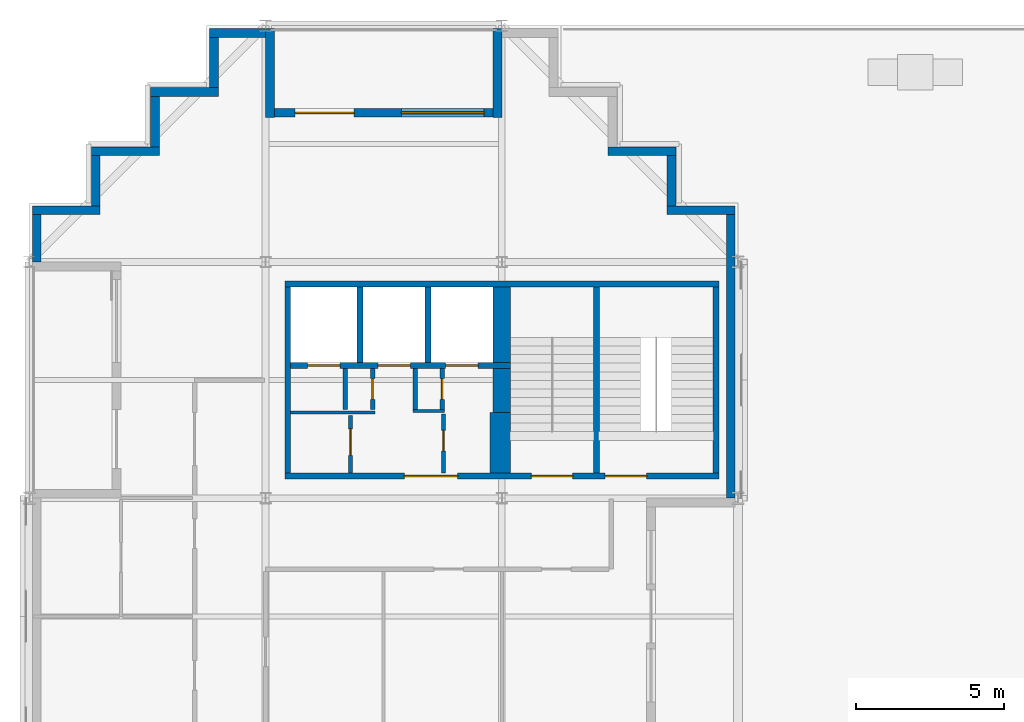
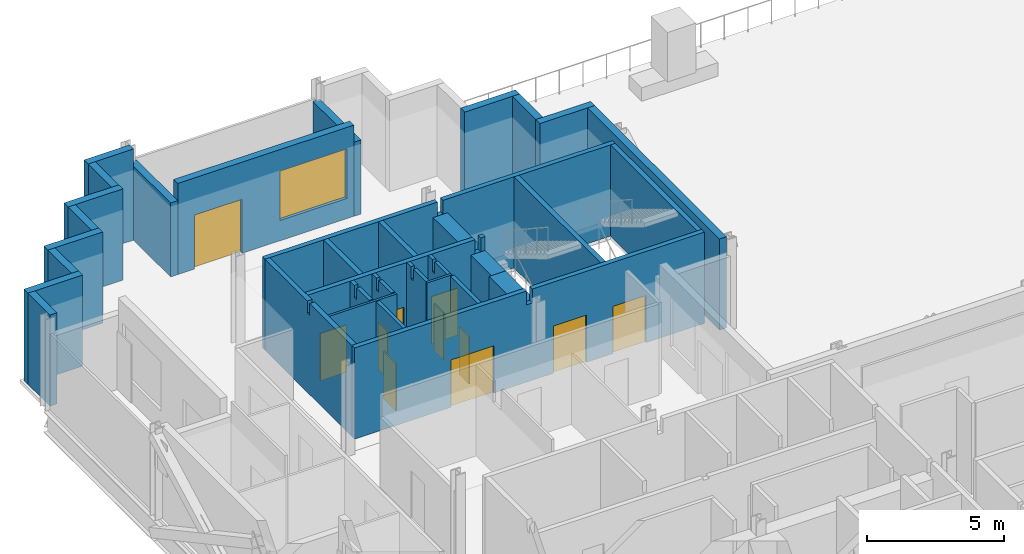
# One storey, part 8 of 12: 34 walls, 11 doors, 1 window, 12 openings.
"""IFC4 building model written with IfcOpenShell, lengths in metres."""

from ifc_helpers import new_model, si_unit, direction, frame, frame_2d, origin, place, context, subcontext, project, spatial, polyline, rectangle, outline, extrude, material, layer, layer_set, type_object, element, fill, save


model = new_model("IFC4")

# Units and contexts
model_context = context("Model", 3, precision=1e-05, world=origin(), true_north=direction((0.0, 1.0)))
body_context = subcontext(model_context, "Body", "Model", "MODEL_VIEW")
ifc_project = project(units=[si_unit("LENGTHUNIT", "METRE"), si_unit("AREAUNIT", "SQUARE_METRE"), si_unit("VOLUMEUNIT", "CUBIC_METRE"), si_unit("PLANEANGLEUNIT", "RADIAN"), si_unit("MASSUNIT", "GRAM", prefix="KILO")], contexts=[model_context])

# Site, building, storey
site_placement = place(None, origin())
site = spatial("IfcSite", under=ifc_project, at=site_placement, CompositionType="ELEMENT")
building_placement = place(site_placement, origin())
building = spatial("IfcBuilding", under=site, at=building_placement, Name="Immortelle Media Tower", CompositionType="ELEMENT")
storey_placement = place(building_placement, frame((0.0, 0.0, 120.0)))
storey = spatial("IfcBuildingStorey", under=building, at=storey_placement, Name="L23", CompositionType="ELEMENT", Elevation=120.0)

# Walls
ifc_material_1 = material(Name="Fire-rated gypsum board", Category="gypsum")
ifc_layer_1 = layer(ifc_material_1, 0.02490234375)
ifc_material_2 = material(Name="Steel ASTM A653 SS Gr 50 stud frame with mineral wool", Category="steel")
ifc_layer_2 = layer(ifc_material_2, 0.050048828125)
ifc_layer_3 = layer(ifc_material_1, 0.02490234375)
ifc_layer_set_1 = layer_set([ifc_layer_1, ifc_layer_2, ifc_layer_3], Name="Steel ASTM A653 SS Gr 50 stud frame with mineral wool")
wall_type_1 = type_object("IfcWallType", Name="Core partition 100", PredefinedType="PARTITIONING", material=ifc_layer_set_1)
wall_1_placement = place(storey_placement, frame((8.85009765625, 34.89990234375, 0.0), z_axis=(0.0, 0.0, 1.0), x_axis=(1.0, 0.0, 0.0)))
element("IfcWall", 1, at=wall_1_placement, inside=storey, type_object=wall_type_1, Name="Core partition NW", PredefinedType="PARTITIONING", context=body_context, shape_type="SweptSolid", body=[
    extrude(rectangle(XDim=2.849853515625, YDim=0.10009765625, at=frame_2d((1.4248046875, 0.0))), origin(), (0.0, 0.0, 1.0), 4.050048828125),
])
wall_2_placement = place(storey_placement, frame((13.0, 34.949951171875, 0.0), z_axis=(0.0, 0.0, 1.0), x_axis=(1.0, 0.0, 0.0)))
element("IfcWall", 2, at=wall_2_placement, inside=storey, type_object=wall_type_1, Name="Core partition NW", PredefinedType="PARTITIONING", context=body_context, shape_type="SweptSolid", body=[
    extrude(rectangle(XDim=1.050048828125, YDim=0.10009765625, at=frame_2d((0.52490234375, 0.0))), origin(), (0.0, 0.0, 1.0), 4.050048828125),
])
ifc_layer_4 = layer(ifc_material_1, 0.02490234375)
ifc_layer_5 = layer(ifc_material_2, 0.10009765625)
ifc_layer_6 = layer(ifc_material_1, 0.02490234375)
ifc_layer_set_2 = layer_set([ifc_layer_4, ifc_layer_5, ifc_layer_6], Name="Steel ASTM A653 SS Gr 50 stud frame with mineral wool")
wall_type_2 = type_object("IfcWallType", Name="Core partition 150", PredefinedType="PARTITIONING", material=ifc_layer_set_2)
wall_3_placement = place(storey_placement, frame((10.699951171875, 35.0, 0.0), z_axis=(0.0, 0.0, 1.0), x_axis=(0.0, 1.0, 0.0)))
element("IfcWall", 3, at=wall_3_placement, inside=storey, type_object=wall_type_2, Name="Core partition NW", PredefinedType="PARTITIONING", context=body_context, shape_type="SweptSolid", body=[
    extrude(outline(polyline([(0.0, 0.0), (1.39990234375, 0.0), (1.39990234375, 4.050048828125), (1.08740234375, 4.050048828125), (1.08642578125, 3.51806640625), (0.91357421875, 3.51806640625), (0.91259765625, 4.050048828125), (0.0, 4.050048828125), (0.0, 0.0)])), frame((0.0, 0.074951171875, 0.0), z_axis=(0.0, -1.0, 0.0), x_axis=(1.0, 0.0, 0.0)), (0.0, 0.0, 1.0), 0.14990234375),
])

# Wall, opening, door
wall_4_placement = place(storey_placement, frame((10.875, 32.85009765625, 0.0), z_axis=(0.0, 0.0, 1.0), x_axis=(0.0, 1.0, 0.0)))
wall_4 = element("IfcWall", 4, at=wall_4_placement, inside=storey, type_object=wall_type_2, Name="Core partition NW", PredefinedType="PARTITIONING", context=body_context, shape_type="SweptSolid", body=[
    extrude(rectangle(XDim=1.949951171875, YDim=0.14990234375, at=frame_2d((0.97509765625, 0.0))), origin(), (0.0, 0.0, 1.0), 4.050048828125),
])
opening_1_placement = place(wall_4_placement, frame((0.60009765625, 0.0, 0.0)))
opening_1 = element("IfcOpeningElement", 5, at=opening_1_placement, cuts=wall_4, Name="Opening C1-K026", PredefinedType="OPENING", context=body_context, shape_type="SweptSolid", body=[
    extrude(rectangle(XDim=0.89990234375, YDim=2.10009765625, at=frame_2d((0.449951171875, 1.050048828125))), frame((0.0, 0.0849609375, 0.0), z_axis=(0.0, -1.0, 0.0), x_axis=(1.0, 0.0, 0.0)), (0.0, 0.0, 1.0), 0.169921875),
])
ifc_material_3 = material(Name="Galvanised steel door leaf and frame ASTM A653", Category="steel")
door_type_1 = type_object("IfcDoorType", Name="Service door 900 x 2100", OperationType="NOTDEFINED", PredefinedType="NOTDEFINED", material=ifc_material_3)
door_1_placement = place(opening_1_placement, origin())
door_1 = element("IfcDoor", 6, at=door_1_placement, inside=storey, type_object=door_type_1, Name="Service C1-K026", OperationType="SINGLE_SWING_LEFT", OverallHeight=2.10009765625, OverallWidth=0.89990234375, PredefinedType="NOTDEFINED", context=body_context, shape_type="SweptSolid", body=[
    extrude(rectangle(XDim=0.89990234375, YDim=2.10009765625, at=frame_2d((0.449951171875, 1.050048828125))), frame((0.0, 0.02490234375, 0.0), z_axis=(0.0, -1.0, 0.0), x_axis=(1.0, 0.0, 0.0)), (0.0, 0.0, 1.0), 0.050048828125),
])
fill(opening_1, door_1)

wall_5_placement = place(storey_placement, frame((11.625, 35.0, 0.0), z_axis=(0.0, 0.0, 1.0), x_axis=(0.0, 1.0, 0.0)))
wall_5 = element("IfcWall", 7, at=wall_5_placement, inside=storey, type_object=wall_type_2, Name="Core partition NW", PredefinedType="PARTITIONING", context=body_context, shape_type="SweptSolid", body=[
    extrude(outline(polyline([(0.0, 0.0), (1.39990234375, 0.0), (1.39990234375, 4.050048828125), (1.08740234375, 4.050048828125), (1.08642578125, 3.51806640625), (0.91357421875, 3.51806640625), (0.91259765625, 4.050048828125), (0.0, 4.050048828125), (0.0, 0.0)])), frame((0.0, 0.074951171875, 0.0), z_axis=(0.0, -1.0, 0.0), x_axis=(1.0, 0.0, 0.0)), (0.0, 0.0, 1.0), 0.14990234375),
])
opening_2_placement = place(wall_5_placement, frame((0.35009765625, 0.0, 0.0)))
opening_2 = element("IfcOpeningElement", 8, at=opening_2_placement, cuts=wall_5, Name="Opening C1-K027", PredefinedType="OPENING", context=body_context, shape_type="SweptSolid", body=[
    extrude(rectangle(XDim=0.699951171875, YDim=2.10009765625, at=frame_2d((0.35009765625, 1.050048828125))), frame((0.0, 0.0849609375, 0.0), z_axis=(0.0, -1.0, 0.0), x_axis=(1.0, 0.0, 0.0)), (0.0, 0.0, 1.0), 0.169921875),
])
door_type_2 = type_object("IfcDoorType", Name="Service door 700 x 2100", OperationType="NOTDEFINED", PredefinedType="NOTDEFINED", material=ifc_material_3)
door_2_placement = place(opening_2_placement, origin())
door_2 = element("IfcDoor", 9, at=door_2_placement, inside=storey, type_object=door_type_2, Name="Service C1-K027", OperationType="SINGLE_SWING_RIGHT", OverallHeight=2.10009765625, OverallWidth=0.699951171875, PredefinedType="NOTDEFINED", context=body_context, shape_type="SweptSolid", body=[
    extrude(rectangle(XDim=0.699951171875, YDim=2.10009765625, at=frame_2d((0.35009765625, 1.050048828125))), frame((0.0, 0.02490234375, 0.0), z_axis=(0.0, -1.0, 0.0), x_axis=(1.0, 0.0, 0.0)), (0.0, 0.0, 1.0), 0.050048828125),
])
fill(opening_2, door_2)

# Wall
wall_6_placement = place(storey_placement, frame((13.074951171875, 35.0, 0.0), z_axis=(0.0, 0.0, 1.0), x_axis=(0.0, 1.0, 0.0)))
element("IfcWall", 10, at=wall_6_placement, inside=storey, type_object=wall_type_2, Name="Core partition NW", PredefinedType="PARTITIONING", context=body_context, shape_type="SweptSolid", body=[
    extrude(outline(polyline([(0.0, 0.0), (1.39990234375, 0.0), (1.39990234375, 4.050048828125), (1.08740234375, 4.050048828125), (1.08642578125, 3.51806640625), (0.91357421875, 3.51806640625), (0.91259765625, 4.050048828125), (0.0, 4.050048828125), (0.0, 0.0)])), frame((0.0, 0.074951171875, 0.0), z_axis=(0.0, -1.0, 0.0), x_axis=(1.0, 0.0, 0.0)), (0.0, 0.0, 1.0), 0.14990234375),
])

# Wall, opening, door
wall_7_placement = place(storey_placement, frame((13.97509765625, 35.0, 0.0), z_axis=(0.0, 0.0, 1.0), x_axis=(0.0, 1.0, 0.0)))
wall_7 = element("IfcWall", 11, at=wall_7_placement, inside=storey, type_object=wall_type_2, Name="Core partition NW", PredefinedType="PARTITIONING", context=body_context, shape_type="SweptSolid", body=[
    extrude(outline(polyline([(0.0, 0.0), (1.39990234375, 0.0), (1.39990234375, 4.050048828125), (1.08740234375, 4.050048828125), (1.08642578125, 3.51806640625), (0.91357421875, 3.51806640625), (0.91259765625, 4.050048828125), (0.0, 4.050048828125), (0.0, 0.0)])), frame((0.0, 0.074951171875, 0.0), z_axis=(0.0, -1.0, 0.0), x_axis=(1.0, 0.0, 0.0)), (0.0, 0.0, 1.0), 0.14990234375),
])
opening_3_placement = place(wall_7_placement, frame((1.050048828125, 0.0, 0.0), z_axis=(0.0, 0.0, 1.0), x_axis=(-1.0, 0.0, 0.0)))
opening_3 = element("IfcOpeningElement", 12, at=opening_3_placement, cuts=wall_7, Name="Opening C1-K030", PredefinedType="OPENING", context=body_context, shape_type="SweptSolid", body=[
    extrude(rectangle(XDim=0.699951171875, YDim=2.10009765625, at=frame_2d((0.35009765625, 1.050048828125))), frame((0.0, 0.0849609375, 0.0), z_axis=(0.0, -1.0, 0.0), x_axis=(1.0, 0.0, 0.0)), (0.0, 0.0, 1.0), 0.169921875),
])
door_3_placement = place(opening_3_placement, origin())
door_3 = element("IfcDoor", 13, at=door_3_placement, inside=storey, type_object=door_type_2, Name="Service C1-K030", OperationType="SINGLE_SWING_RIGHT", OverallHeight=2.10009765625, OverallWidth=0.699951171875, PredefinedType="NOTDEFINED", context=body_context, shape_type="SweptSolid", body=[
    extrude(rectangle(XDim=0.699951171875, YDim=2.10009765625, at=frame_2d((0.35009765625, 1.050048828125))), frame((0.0, 0.02490234375, 0.0), z_axis=(0.0, -1.0, 0.0), x_axis=(1.0, 0.0, 0.0)), (0.0, 0.0, 1.0), 0.050048828125),
])
fill(opening_3, door_3)

wall_8_placement = place(storey_placement, frame((14.02490234375, 32.85009765625, 0.0), z_axis=(0.0, 0.0, 1.0), x_axis=(0.0, 1.0, 0.0)))
wall_8 = element("IfcWall", 14, at=wall_8_placement, inside=storey, type_object=wall_type_2, Name="Core partition NW", PredefinedType="PARTITIONING", context=body_context, shape_type="SweptSolid", body=[
    extrude(rectangle(XDim=2.0, YDim=0.14990234375, at=frame_2d((1.0, 0.0))), origin(), (0.0, 0.0, 1.0), 4.050048828125),
])
opening_4_placement = place(wall_8_placement, frame((1.449951171875, 0.0, 0.0), z_axis=(0.0, 0.0, 1.0), x_axis=(-1.0, 0.0, 0.0)))
opening_4 = element("IfcOpeningElement", 15, at=opening_4_placement, cuts=wall_8, Name="Opening C1-K031", PredefinedType="OPENING", context=body_context, shape_type="SweptSolid", body=[
    extrude(rectangle(XDim=0.699951171875, YDim=2.10009765625, at=frame_2d((0.35009765625, 1.050048828125))), frame((0.0, 0.0849609375, 0.0), z_axis=(0.0, -1.0, 0.0), x_axis=(1.0, 0.0, 0.0)), (0.0, 0.0, 1.0), 0.169921875),
])
door_4_placement = place(opening_4_placement, origin())
door_4 = element("IfcDoor", 16, at=door_4_placement, inside=storey, type_object=door_type_2, Name="Service C1-K031", OperationType="SINGLE_SWING_RIGHT", OverallHeight=2.10009765625, OverallWidth=0.699951171875, PredefinedType="NOTDEFINED", context=body_context, shape_type="SweptSolid", body=[
    extrude(rectangle(XDim=0.699951171875, YDim=2.10009765625, at=frame_2d((0.35009765625, 1.050048828125))), frame((0.0, 0.02490234375, 0.0), z_axis=(0.0, -1.0, 0.0), x_axis=(1.0, 0.0, 0.0)), (0.0, 0.0, 1.0), 0.050048828125),
])
fill(opening_4, door_4)

# Wall
ifc_layer_7 = layer(ifc_material_1, 0.03759765625)
ifc_layer_8 = layer(ifc_material_2, 0.125)
ifc_layer_9 = layer(ifc_material_1, 0.03759765625)
ifc_layer_set_3 = layer_set([ifc_layer_7, ifc_layer_8, ifc_layer_9], Name="Steel ASTM A653 SS Gr 50 stud frame with mineral wool")
wall_type_3 = type_object("IfcWallType", Name="Core shaft wall 200", PredefinedType="PARTITIONING", material=ifc_layer_set_3)
wall_9_placement = place(storey_placement, frame((8.75, 32.85009765625, 0.0), z_axis=(0.0, 0.0, 1.0), x_axis=(0.0, 1.0, 0.0)))
element("IfcWall", 17, at=wall_9_placement, inside=storey, type_object=wall_type_3, Name="Core shaft wall NW", PredefinedType="PARTITIONING", context=body_context, shape_type="SweptSolid", body=[
    extrude(outline(polyline([(0.0, 0.0), (6.2998046875, 0.0), (6.300048828125, 4.050048828125), (3.237548828125, 4.050048828125), (3.236572265625, 3.51806640625), (3.0634765625, 3.51806640625), (3.0625, 4.050048828125), (0.0, 4.050048828125), (0.0, 0.0)])), frame((0.0, 0.10009765625, 0.0), z_axis=(0.0, -1.0, 0.0), x_axis=(1.0, 0.0, 0.0)), (0.0, 0.0, 1.0), 0.199951171875),
])

# Wall, openings, doors
wall_10_placement = place(storey_placement, frame((8.85009765625, 36.5, 0.0), z_axis=(0.0, 0.0, 1.0), x_axis=(1.0, 0.0, 0.0)))
wall_10 = element("IfcWall", 18, at=wall_10_placement, inside=storey, type_object=wall_type_3, Name="Core shaft wall NW", PredefinedType="PARTITIONING", context=body_context, shape_type="SweptSolid", body=[
    extrude(outline(polyline([(0.0, 0.0), (7.449951171875, 0.0), (7.449951171875, 4.050048828125), (7.26953125, 4.050048828125), (7.2685546875, 3.431884765625), (7.031494140625, 3.431884765625), (7.030517578125, 4.050048828125), (0.0, 4.050048828125), (0.0, 0.0)])), frame((0.0, 0.10009765625, 0.0), z_axis=(0.0, -1.0, 0.0), x_axis=(1.0, 0.0, 0.0)), (0.0, 0.0, 1.0), 0.199951171875),
])
opening_5_placement = place(wall_10_placement, frame((0.574951171875, 0.0, 0.0)))
opening_5 = element("IfcOpeningElement", 19, at=opening_5_placement, cuts=wall_10, Name="Opening LD", PredefinedType="OPENING", context=body_context, shape_type="SweptSolid", body=[
    extrude(rectangle(XDim=1.10009765625, YDim=2.10009765625, at=frame_2d((0.550048828125, 1.050048828125))), frame((0.0, 0.10986328125, 0.0), z_axis=(0.0, -1.0, 0.0), x_axis=(1.0, 0.0, 0.0)), (0.0, 0.0, 1.0), 0.219970703125),
])
opening_6_placement = place(wall_10_placement, frame((2.949951171875, 0.0, 0.0)))
opening_6 = element("IfcOpeningElement", 20, at=opening_6_placement, cuts=wall_10, Name="Opening LD", PredefinedType="OPENING", context=body_context, shape_type="SweptSolid", body=[
    extrude(rectangle(XDim=1.10009765625, YDim=2.10009765625, at=frame_2d((0.550048828125, 1.050048828125))), frame((0.0, 0.10986328125, 0.0), z_axis=(0.0, -1.0, 0.0), x_axis=(1.0, 0.0, 0.0)), (0.0, 0.0, 1.0), 0.219970703125),
])
opening_7_placement = place(wall_10_placement, frame((5.25, 0.0, 0.0)))
opening_7 = element("IfcOpeningElement", 21, at=opening_7_placement, cuts=wall_10, Name="Opening LD", PredefinedType="OPENING", context=body_context, shape_type="SweptSolid", body=[
    extrude(rectangle(XDim=1.10009765625, YDim=2.10009765625, at=frame_2d((0.550048828125, 1.050048828125))), frame((0.0, 0.10986328125, 0.0), z_axis=(0.0, -1.0, 0.0), x_axis=(1.0, 0.0, 0.0)), (0.0, 0.0, 1.0), 0.219970703125),
])
ifc_material_4 = material(Name="Stainless steel AISI 304", Category="steel")
door_type_3 = type_object("IfcDoorType", Name="Landing door 1100 x 2100", OperationType="SLIDING_TO_LEFT", PredefinedType="NOTDEFINED", material=ifc_material_4)
door_5_placement = place(opening_5_placement, origin())
door_5 = element("IfcDoor", 22, at=door_5_placement, inside=storey, type_object=door_type_3, Name="Landing door MR1 L23", OperationType="SLIDING_TO_LEFT", OverallHeight=2.10009765625, OverallWidth=1.10009765625, PredefinedType="NOTDEFINED", context=body_context, shape_type="SweptSolid", body=[
    extrude(rectangle(XDim=1.10009765625, YDim=2.10009765625, at=frame_2d((0.550048828125, 1.050048828125))), frame((0.0, 0.02490234375, 0.0), z_axis=(0.0, -1.0, 0.0), x_axis=(1.0, 0.0, 0.0)), (0.0, 0.0, 1.0), 0.050048828125),
])
fill(opening_5, door_5)
door_6_placement = place(opening_6_placement, origin())
door_6 = element("IfcDoor", 23, at=door_6_placement, inside=storey, type_object=door_type_3, Name="Landing door MR2 L23", OperationType="SLIDING_TO_LEFT", OverallHeight=2.10009765625, OverallWidth=1.10009765625, PredefinedType="NOTDEFINED", context=body_context, shape_type="SweptSolid", body=[
    extrude(rectangle(XDim=1.10009765625, YDim=2.10009765625, at=frame_2d((0.550048828125, 1.050048828125))), frame((0.0, 0.02490234375, 0.0), z_axis=(0.0, -1.0, 0.0), x_axis=(1.0, 0.0, 0.0)), (0.0, 0.0, 1.0), 0.050048828125),
])
fill(opening_6, door_6)
door_7_placement = place(opening_7_placement, origin())
door_7 = element("IfcDoor", 24, at=door_7_placement, inside=storey, type_object=door_type_3, Name="Landing door MR3 L23", OperationType="SLIDING_TO_LEFT", OverallHeight=2.10009765625, OverallWidth=1.10009765625, PredefinedType="NOTDEFINED", context=body_context, shape_type="SweptSolid", body=[
    extrude(rectangle(XDim=1.10009765625, YDim=2.10009765625, at=frame_2d((0.550048828125, 1.050048828125))), frame((0.0, 0.02490234375, 0.0), z_axis=(0.0, -1.0, 0.0), x_axis=(1.0, 0.0, 0.0)), (0.0, 0.0, 1.0), 0.050048828125),
])
fill(opening_7, door_7)

# Walls
for number, where, z_axis, x_axis, name in (
    (25, (11.199951171875, 36.60009765625, 0.0), (0.0, 0.0, 1.0), (0.0, 1.0, 0.0), "Core shaft wall NW"),
    (26, (13.5, 36.60009765625, 0.0), (0.0, 0.0, 1.0), (0.0, 1.0, 0.0), "Core shaft wall NW"),
):
    element("IfcWall", number, at=place(storey_placement, frame(where, z_axis=z_axis, x_axis=x_axis)), inside=storey, type_object=wall_type_3, Name=name, PredefinedType="PARTITIONING", context=body_context, shape_type="SweptSolid", body=[
        extrude(rectangle(XDim=2.5498046875, YDim=0.199951171875, at=frame_2d((1.27490234375, 0.0))), origin(), (0.0, 0.0, 1.0), 4.050048828125),
    ])
ifc_material_5 = material(Name="Pale aluminium cladding panel", Category="aluminium")
ifc_layer_10 = layer(ifc_material_5, 0.030029296875)
ifc_layer_11 = layer(ifc_material_2, 0.257568359375)
ifc_material_6 = material(Name="Moisture-resistant gypsum board", Category="gypsum")
ifc_layer_12 = layer(ifc_material_6, 0.012451171875)
ifc_layer_set_4 = layer_set([ifc_layer_10, ifc_layer_11, ifc_layer_12], Name="Steel ASTM A653 SS Gr 50 stud frame with mineral wool")
wall_type_4 = type_object("IfcWallType", Name="Facade wall 300", PredefinedType="SOLIDWALL", material=ifc_layer_set_4)
wall_11_placement = place(storey_placement, frame((23.75, 32.0, 0.0), z_axis=(0.0, 0.0, 1.0), x_axis=(0.0, 1.0, 0.0)))
element("IfcWall", 27, at=wall_11_placement, inside=storey, type_object=wall_type_4, Name="Facade wall L23 E21", PredefinedType="SOLIDWALL", context=body_context, shape_type="SweptSolid", body=[
    extrude(rectangle(XDim=9.60009765625, YDim=0.300048828125, at=frame_2d((4.800048828125, 0.0))), origin(), (0.0, 0.0, 1.0), 4.050048828125),
])
wall_12_placement = place(storey_placement, frame((23.89990234375, 41.75, 0.0), z_axis=(0.0, 0.0, 1.0), x_axis=(-1.0, 0.0, 0.0)))
element("IfcWall", 28, at=wall_12_placement, inside=storey, type_object=wall_type_4, Name="Facade wall L23 N22", PredefinedType="SOLIDWALL", context=body_context, shape_type="SweptSolid", body=[
    extrude(rectangle(XDim=2.2998046875, YDim=0.300048828125, at=frame_2d((1.14990234375, 0.0))), origin(), (0.0, 0.0, 1.0), 4.050048828125),
])
wall_13_placement = place(storey_placement, frame((21.75, 41.89990234375, 0.0), z_axis=(0.0, 0.0, 1.0), x_axis=(0.0, 1.0, 0.0)))
element("IfcWall", 29, at=wall_13_placement, inside=storey, type_object=wall_type_4, Name="Facade wall L23 E23", PredefinedType="SOLIDWALL", context=body_context, shape_type="SweptSolid", body=[
    extrude(rectangle(XDim=1.7001953125, YDim=0.300048828125, at=frame_2d((0.85009765625, 0.0))), origin(), (0.0, 0.0, 1.0), 4.050048828125),
])
wall_14_placement = place(storey_placement, frame((21.89990234375, 43.75, 0.0), z_axis=(0.0, 0.0, 1.0), x_axis=(-1.0, 0.0, 0.0)))
element("IfcWall", 30, at=wall_14_placement, inside=storey, type_object=wall_type_4, Name="Facade wall L23 N24", PredefinedType="SOLIDWALL", context=body_context, shape_type="SweptSolid", body=[
    extrude(rectangle(XDim=2.2998046875, YDim=0.300048828125, at=frame_2d((1.14990234375, 0.0))), origin(), (0.0, 0.0, 1.0), 4.050048828125),
])

# Wall, openings, door, window
wall_15_placement = place(storey_placement, frame((15.699951171875, 45.050048828125, 0.0), z_axis=(0.0, 0.0, 1.0), x_axis=(-1.0, 0.0, 0.0)))
wall_15 = element("IfcWall", 31, at=wall_15_placement, inside=storey, type_object=wall_type_4, Name="Loggia wall L23 N28", PredefinedType="SOLIDWALL", context=body_context, shape_type="SweptSolid", body=[
    extrude(rectangle(XDim=7.39990234375, YDim=0.300048828125, at=frame_2d((3.699951171875, 0.0))), origin(), (0.0, 0.0, 1.0), 4.050048828125),
])
opening_8_placement = place(wall_15_placement, frame((0.300048828125, 0.0, 0.89990234375)))
opening_8 = element("IfcOpeningElement", 32, at=opening_8_placement, cuts=wall_15, Name="Opening W1", PredefinedType="OPENING", context=body_context, shape_type="SweptSolid", body=[
    extrude(rectangle(XDim=2.800048828125, YDim=2.199951171875, at=frame_2d((1.39990234375, 1.10009765625))), frame((0.0, 0.159912109375, 0.0), z_axis=(0.0, -1.0, 0.0), x_axis=(1.0, 0.0, 0.0)), (0.0, 0.0, 1.0), 0.320068359375),
])
opening_9_placement = place(wall_15_placement, frame((4.699951171875, 0.0, 0.0)))
opening_9 = element("IfcOpeningElement", 33, at=opening_9_placement, cuts=wall_15, Name="Opening C1-E006", PredefinedType="OPENING", context=body_context, shape_type="SweptSolid", body=[
    extrude(rectangle(XDim=2.0, YDim=2.39990234375, at=frame_2d((1.0, 1.199951171875))), frame((0.0, 0.159912109375, 0.0), z_axis=(0.0, -1.0, 0.0), x_axis=(1.0, 0.0, 0.0)), (0.0, 0.0, 1.0), 0.320068359375),
])
ifc_material_7 = material(Name="Aluminium frame, glazed leaves", Category="aluminium")
door_type_4 = type_object("IfcDoorType", Name="Loggia door 2000 x 2400", OperationType="DOUBLE_DOOR_SINGLE_SWING", PredefinedType="DOOR", material=ifc_material_7)
door_8_placement = place(opening_9_placement, origin())
door_8 = element("IfcDoor", 34, at=door_8_placement, inside=storey, type_object=door_type_4, Name="Door C1-E006", OperationType="DOUBLE_DOOR_SINGLE_SWING", OverallHeight=2.39990234375, OverallWidth=2.0, PredefinedType="DOOR", context=body_context, shape_type="SweptSolid", body=[
    extrude(rectangle(XDim=2.0, YDim=2.39990234375, at=frame_2d((1.0, 1.199951171875))), frame((0.0, 0.02490234375, 0.0), z_axis=(0.0, -1.0, 0.0), x_axis=(1.0, 0.0, 0.0)), (0.0, 0.0, 1.0), 0.050048828125),
])
fill(opening_9, door_8)
ifc_material_8 = material(Name="Aluminium frame", Category="aluminium")
window_type = type_object("IfcWindowType", Name="Window 2800 x 2200", PartitioningType="SINGLE_PANEL", PredefinedType="WINDOW", material=ifc_material_8)
window_placement = place(opening_8_placement, origin())
window = element("IfcWindow", 35, at=window_placement, inside=storey, type_object=window_type, Name="Window L23 L23-R28-B0", OverallHeight=2.199951171875, OverallWidth=2.800048828125, PartitioningType="SINGLE_PANEL", PredefinedType="WINDOW", context=body_context, shape_type="SweptSolid", body=[
    extrude(rectangle(XDim=2.800048828125, YDim=2.199951171875, at=frame_2d((1.39990234375, 1.10009765625))), frame((0.0, 0.030029296875, 0.0), z_axis=(0.0, -1.0, 0.0), x_axis=(1.0, 0.0, 0.0)), (0.0, 0.0, 1.0), 0.06005859375),
])
fill(opening_8, window)

# Walls
for number, where, z_axis, x_axis, name in (
    (36, (15.85009765625, 47.89990234375, 0.0), (0.0, 0.0, 1.0), (0.0, -1.0, 0.0), "Loggia cheek wall L23 N"),
    (37, (8.14990234375, 47.89990234375, 0.0), (0.0, 0.0, 1.0), (0.0, -1.0, 0.0), "Loggia cheek wall L23 N"),
):
    element("IfcWall", number, at=place(storey_placement, frame(where, z_axis=z_axis, x_axis=x_axis)), inside=storey, type_object=wall_type_4, Name=name, PredefinedType="SOLIDWALL", context=body_context, shape_type="SweptSolid", body=[
        extrude(rectangle(XDim=3.0, YDim=0.300048828125, at=frame_2d((1.5, 0.0))), origin(), (0.0, 0.0, 1.0), 3.287109375),
    ])
wall_16_placement = place(storey_placement, frame((8.0, 47.75, 0.0), z_axis=(0.0, 0.0, 1.0), x_axis=(-1.0, 0.0, 0.0)))
element("IfcWall", 38, at=wall_16_placement, inside=storey, type_object=wall_type_4, Name="Facade wall L23 N28", PredefinedType="SOLIDWALL", context=body_context, shape_type="SweptSolid", body=[
    extrude(rectangle(XDim=1.89990234375, YDim=0.300048828125, at=frame_2d((0.949951171875, 0.0))), origin(), (0.0, 0.0, 1.0), 4.050048828125),
])
wall_17_placement = place(storey_placement, frame((6.25, 47.60009765625, 0.0), z_axis=(0.0, 0.0, 1.0), x_axis=(0.0, -1.0, 0.0)))
element("IfcWall", 39, at=wall_17_placement, inside=storey, type_object=wall_type_4, Name="Facade wall L23 W29", PredefinedType="SOLIDWALL", context=body_context, shape_type="SweptSolid", body=[
    extrude(rectangle(XDim=1.7001953125, YDim=0.300048828125, at=frame_2d((0.85009765625, 0.0))), origin(), (0.0, 0.0, 1.0), 4.050048828125),
])
wall_18_placement = place(storey_placement, frame((6.39990234375, 45.75, 0.0), z_axis=(0.0, 0.0, 1.0), x_axis=(-1.0, 0.0, 0.0)))
element("IfcWall", 40, at=wall_18_placement, inside=storey, type_object=wall_type_4, Name="Facade wall L23 N30", PredefinedType="SOLIDWALL", context=body_context, shape_type="SweptSolid", body=[
    extrude(rectangle(XDim=2.2998046875, YDim=0.300048828125, at=frame_2d((1.14990234375, 0.0))), origin(), (0.0, 0.0, 1.0), 4.050048828125),
])
wall_19_placement = place(storey_placement, frame((4.25, 45.60009765625, 0.0), z_axis=(0.0, 0.0, 1.0), x_axis=(0.0, -1.0, 0.0)))
element("IfcWall", 41, at=wall_19_placement, inside=storey, type_object=wall_type_4, Name="Facade wall L23 W31", PredefinedType="SOLIDWALL", context=body_context, shape_type="SweptSolid", body=[
    extrude(rectangle(XDim=1.7001953125, YDim=0.300048828125, at=frame_2d((0.85009765625, 0.0))), origin(), (0.0, 0.0, 1.0), 4.050048828125),
])
wall_20_placement = place(storey_placement, frame((4.39990234375, 43.75, 0.0), z_axis=(0.0, 0.0, 1.0), x_axis=(-1.0, 0.0, 0.0)))
element("IfcWall", 42, at=wall_20_placement, inside=storey, type_object=wall_type_4, Name="Facade wall L23 N32", PredefinedType="SOLIDWALL", context=body_context, shape_type="SweptSolid", body=[
    extrude(rectangle(XDim=2.2998046875, YDim=0.300048828125, at=frame_2d((1.14990234375, 0.0))), origin(), (0.0, 0.0, 1.0), 4.050048828125),
])
wall_21_placement = place(storey_placement, frame((2.25, 43.60009765625, 0.0), z_axis=(0.0, 0.0, 1.0), x_axis=(0.0, -1.0, 0.0)))
element("IfcWall", 43, at=wall_21_placement, inside=storey, type_object=wall_type_4, Name="Facade wall L23 W33", PredefinedType="SOLIDWALL", context=body_context, shape_type="SweptSolid", body=[
    extrude(rectangle(XDim=1.7001953125, YDim=0.300048828125, at=frame_2d((0.85009765625, 0.0))), origin(), (0.0, 0.0, 1.0), 4.050048828125),
])
wall_22_placement = place(storey_placement, frame((2.39990234375, 41.75, 0.0), z_axis=(0.0, 0.0, 1.0), x_axis=(-1.0, 0.0, 0.0)))
element("IfcWall", 44, at=wall_22_placement, inside=storey, type_object=wall_type_4, Name="Facade wall L23 N34", PredefinedType="SOLIDWALL", context=body_context, shape_type="SweptSolid", body=[
    extrude(rectangle(XDim=2.2998046875, YDim=0.300048828125, at=frame_2d((1.14990234375, 0.0))), origin(), (0.0, 0.0, 1.0), 4.050048828125),
])
wall_23_placement = place(storey_placement, frame((0.25, 41.60009765625, 0.0), z_axis=(0.0, 0.0, 1.0), x_axis=(0.0, -1.0, 0.0)))
element("IfcWall", 45, at=wall_23_placement, inside=storey, type_object=wall_type_4, Name="Facade wall L23 W35", PredefinedType="SOLIDWALL", context=body_context, shape_type="SweptSolid", body=[
    extrude(rectangle(XDim=1.60009765625, YDim=0.300048828125, at=frame_2d((0.800048828125, 0.0))), origin(), (0.0, 0.0, 1.0), 4.050048828125),
])

# Wall, openings, doors
ifc_material_9 = material(Name="Concrete C60", Category="concrete")
ifc_layer_13 = layer(ifc_material_9, 0.199951171875)
ifc_layer_set_5 = layer_set([ifc_layer_13], Name="Concrete C60")
wall_type_5 = type_object("IfcWallType", Name="Stair shaft wall 200", PredefinedType="PARTITIONING", material=ifc_layer_set_5)
wall_24_placement = place(storey_placement, frame((8.64990234375, 32.75, 0.0), z_axis=(0.0, 0.0, 1.0), x_axis=(1.0, 0.0, 0.0)))
wall_24 = element("IfcWall", 46, at=wall_24_placement, inside=storey, type_object=wall_type_5, Name="Stair shaft wall NW", PredefinedType="PARTITIONING", context=body_context, shape_type="SweptSolid", body=[
    extrude(outline(polyline([(0.0, 0.0), (14.7001953125, 0.0), (14.699951171875, 4.050048828125), (7.469482421875, 4.050048828125), (7.468505859375, 3.431884765625), (7.2314453125, 3.431884765625), (7.23046875, 4.050048828125), (0.0, 4.050048828125), (0.0, 0.0)])), frame((0.0, 0.10009765625, 0.0), z_axis=(0.0, -1.0, 0.0), x_axis=(1.0, 0.0, 0.0)), (0.0, 0.0, 1.0), 0.199951171875),
])
opening_10_placement = place(wall_24_placement, frame((4.050048828125, 0.0, 0.0)))
opening_10 = element("IfcOpeningElement", 47, at=opening_10_placement, cuts=wall_24, Name="Opening C1-K029", PredefinedType="OPENING", context=body_context, shape_type="SweptSolid", body=[
    extrude(rectangle(XDim=1.800048828125, YDim=2.10009765625, at=frame_2d((0.89990234375, 1.050048828125))), frame((0.0, 0.10986328125, 0.0), z_axis=(0.0, -1.0, 0.0), x_axis=(1.0, 0.0, 0.0)), (0.0, 0.0, 1.0), 0.219970703125),
])
opening_11_placement = place(wall_24_placement, frame((8.35009765625, 0.0, 0.0)))
opening_11 = element("IfcOpeningElement", 48, at=opening_11_placement, cuts=wall_24, Name="Opening C1-K033", PredefinedType="OPENING", context=body_context, shape_type="SweptSolid", body=[
    extrude(rectangle(XDim=1.39990234375, YDim=2.10009765625, at=frame_2d((0.699951171875, 1.050048828125))), frame((0.0, 0.10986328125, 0.0), z_axis=(0.0, -1.0, 0.0), x_axis=(1.0, 0.0, 0.0)), (0.0, 0.0, 1.0), 0.219970703125),
])
opening_12_placement = place(wall_24_placement, frame((10.85009765625, 0.0, 0.0)))
opening_12 = element("IfcOpeningElement", 49, at=opening_12_placement, cuts=wall_24, Name="Opening C1-K034", PredefinedType="OPENING", context=body_context, shape_type="SweptSolid", body=[
    extrude(rectangle(XDim=1.39990234375, YDim=2.10009765625, at=frame_2d((0.699951171875, 1.050048828125))), frame((0.0, 0.10986328125, 0.0), z_axis=(0.0, -1.0, 0.0), x_axis=(1.0, 0.0, 0.0)), (0.0, 0.0, 1.0), 0.219970703125),
])
door_type_5 = type_object("IfcDoorType", Name="Lift lobby door 1800 x 2100", OperationType="DOUBLE_DOOR_SINGLE_SWING", PredefinedType="NOTDEFINED", material=ifc_material_3)
door_9_placement = place(opening_10_placement, origin())
door_9 = element("IfcDoor", 50, at=door_9_placement, inside=storey, type_object=door_type_5, Name="Lift lobby C1-K029", OperationType="DOUBLE_DOOR_SINGLE_SWING", OverallHeight=2.10009765625, OverallWidth=1.800048828125, PredefinedType="NOTDEFINED", context=body_context, shape_type="SweptSolid", body=[
    extrude(rectangle(XDim=1.800048828125, YDim=2.10009765625, at=frame_2d((0.89990234375, 1.050048828125))), frame((0.0, 0.02490234375, 0.0), z_axis=(0.0, -1.0, 0.0), x_axis=(1.0, 0.0, 0.0)), (0.0, 0.0, 1.0), 0.050048828125),
])
fill(opening_10, door_9)
door_type_6 = type_object("IfcDoorType", Name="Stair door 1400 x 2100", OperationType="DOUBLE_DOOR_SINGLE_SWING", PredefinedType="NOTDEFINED", material=ifc_material_3)
door_10_placement = place(opening_11_placement, origin())
door_10 = element("IfcDoor", 51, at=door_10_placement, inside=storey, type_object=door_type_6, Name="Stair C1-K033", OperationType="DOUBLE_DOOR_SINGLE_SWING", OverallHeight=2.10009765625, OverallWidth=1.39990234375, PredefinedType="NOTDEFINED", context=body_context, shape_type="SweptSolid", body=[
    extrude(rectangle(XDim=1.39990234375, YDim=2.10009765625, at=frame_2d((0.699951171875, 1.050048828125))), frame((0.0, 0.02490234375, 0.0), z_axis=(0.0, -1.0, 0.0), x_axis=(1.0, 0.0, 0.0)), (0.0, 0.0, 1.0), 0.050048828125),
])
fill(opening_11, door_10)
door_11_placement = place(opening_12_placement, origin())
door_11 = element("IfcDoor", 52, at=door_11_placement, inside=storey, type_object=door_type_6, Name="Stair C1-K034", OperationType="DOUBLE_DOOR_SINGLE_SWING", OverallHeight=2.10009765625, OverallWidth=1.39990234375, PredefinedType="NOTDEFINED", context=body_context, shape_type="SweptSolid", body=[
    extrude(rectangle(XDim=1.39990234375, YDim=2.10009765625, at=frame_2d((0.699951171875, 1.050048828125))), frame((0.0, 0.02490234375, 0.0), z_axis=(0.0, -1.0, 0.0), x_axis=(1.0, 0.0, 0.0)), (0.0, 0.0, 1.0), 0.050048828125),
])
fill(opening_12, door_11)

# Walls
wall_25_placement = place(storey_placement, frame((8.64990234375, 39.25, 0.0), z_axis=(0.0, 0.0, 1.0), x_axis=(1.0, 0.0, 0.0)))
element("IfcWall", 53, at=wall_25_placement, inside=storey, type_object=wall_type_5, Name="Stair shaft wall NW", PredefinedType="PARTITIONING", context=body_context, shape_type="SweptSolid", body=[
    extrude(outline(polyline([(0.0, 0.0), (14.7001953125, 0.0), (14.699951171875, 4.050048828125), (7.469482421875, 4.050048828125), (7.468505859375, 3.431884765625), (7.2314453125, 3.431884765625), (7.23046875, 4.050048828125), (0.0, 4.050048828125), (0.0, 0.0)])), frame((0.0, 0.10009765625, 0.0), z_axis=(0.0, -1.0, 0.0), x_axis=(1.0, 0.0, 0.0)), (0.0, 0.0, 1.0), 0.199951171875),
])
for number, where, z_axis, x_axis, name in (
    (54, (19.199951171875, 32.85009765625, 0.0), (0.0, 0.0, 1.0), (0.0, 1.0, 0.0), "Stair shaft wall NW"),
    (55, (23.25, 32.85009765625, 0.0), (0.0, 0.0, 1.0), (0.0, 1.0, 0.0), "Stair shaft wall NW"),
):
    element("IfcWall", number, at=place(storey_placement, frame(where, z_axis=z_axis, x_axis=x_axis)), inside=storey, type_object=wall_type_5, Name=name, PredefinedType="PARTITIONING", context=body_context, shape_type="SweptSolid", body=[
        extrude(rectangle(XDim=6.2998046875, YDim=0.199951171875, at=frame_2d((3.14990234375, 0.0))), origin(), (0.0, 0.0, 1.0), 4.050048828125),
    ])
ifc_layer_14 = layer(ifc_material_9, 0.60009765625)
ifc_layer_set_6 = layer_set([ifc_layer_14], Name="Concrete C60")
wall_type_6 = type_object("IfcWallType", Name="Stair shaft wall 600", PredefinedType="PARTITIONING", material=ifc_layer_set_6)
wall_26_placement = place(storey_placement, frame((16.0, 34.89990234375, 0.0), z_axis=(0.0, 0.0, 1.0), x_axis=(0.0, 1.0, 0.0)))
element("IfcWall", 56, at=wall_26_placement, inside=storey, type_object=wall_type_6, Name="Stair shaft wall NW", PredefinedType="PARTITIONING", context=body_context, shape_type="SweptSolid", body=[
    extrude(rectangle(XDim=1.5, YDim=0.60009765625, at=frame_2d((0.75, 0.0))), origin(), (0.0, 0.0, 1.0), 3.431884765625),
])
wall_27_placement = place(storey_placement, frame((16.0, 36.60009765625, 0.0), z_axis=(0.0, 0.0, 1.0), x_axis=(0.0, 1.0, 0.0)))
element("IfcWall", 57, at=wall_27_placement, inside=storey, type_object=wall_type_6, Name="Stair shaft wall NW", PredefinedType="PARTITIONING", context=body_context, shape_type="SweptSolid", body=[
    extrude(rectangle(XDim=2.5498046875, YDim=0.60009765625, at=frame_2d((1.27490234375, 0.0))), origin(), (0.0, 0.0, 1.0), 3.431884765625),
])
ifc_layer_15 = layer(ifc_material_9, 0.699951171875)
ifc_layer_set_7 = layer_set([ifc_layer_15], Name="Concrete C60")
wall_type_7 = type_object("IfcWallType", Name="Stair shaft wall 700", PredefinedType="PARTITIONING", material=ifc_layer_set_7)
wall_28_placement = place(storey_placement, frame((15.949951171875, 32.85009765625, 0.0), z_axis=(0.0, 0.0, 1.0), x_axis=(0.0, 1.0, 0.0)))
element("IfcWall", 58, at=wall_28_placement, inside=storey, type_object=wall_type_7, Name="Stair shaft wall NW", PredefinedType="PARTITIONING", context=body_context, shape_type="SweptSolid", body=[
    extrude(rectangle(XDim=2.0498046875, YDim=0.699951171875, at=frame_2d((1.02490234375, 0.0))), origin(), (0.0, 0.0, 1.0), 3.431884765625),
])

save(model, "model.ifc")
